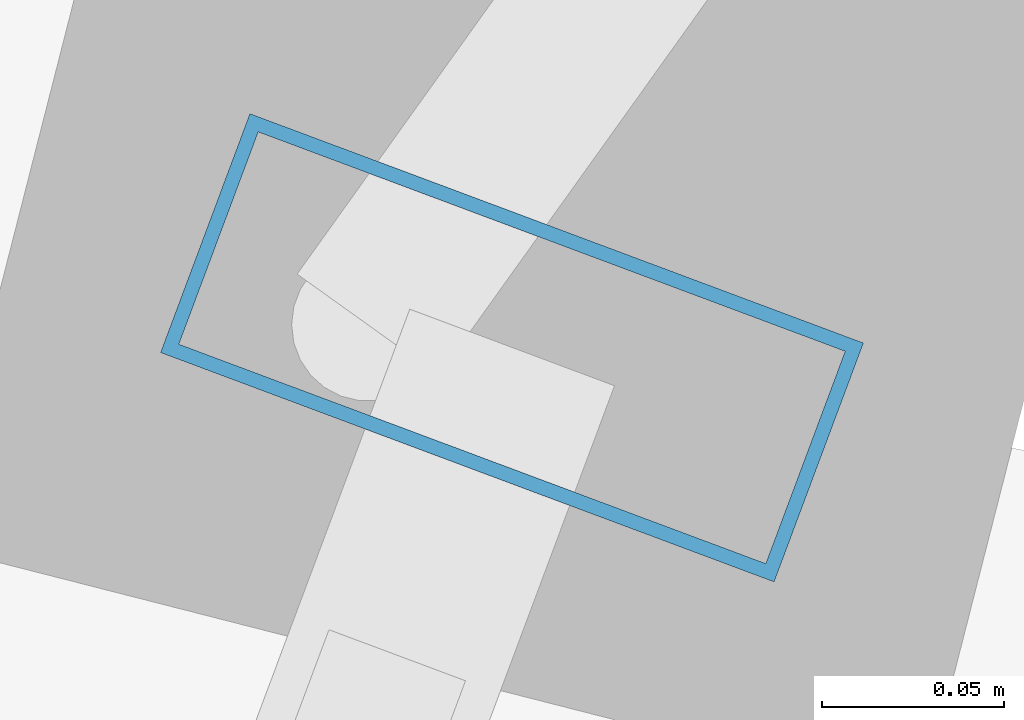
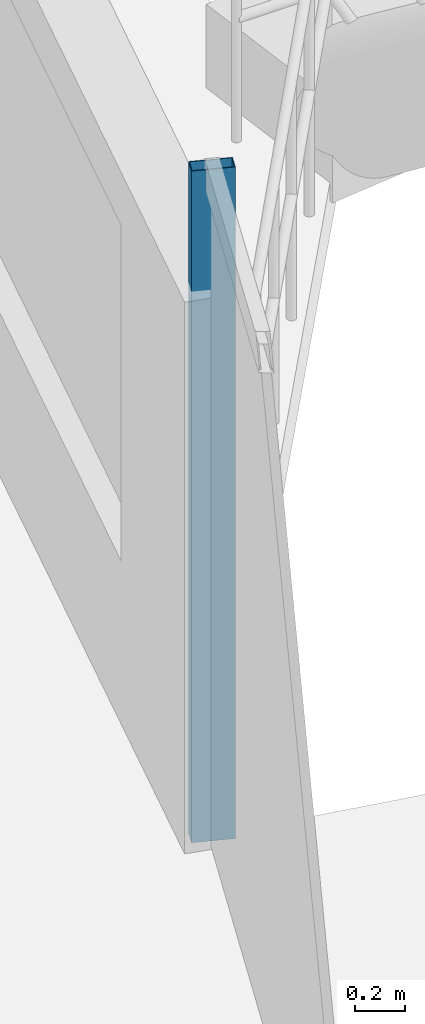
# One storey, part 11 of 21: 1 member, 1 element without a shape of its own.
"""IFC4 building model written with IfcOpenShell, lengths in metres."""

from ifc_helpers import new_model, si_unit, direction, frame, origin, origin_2d, place, context, subcontext, project, spatial, hollow_rectangle, extrude, material, layer, layer_set, material_profile, profile_set, type_object, element, aggregate, save


model = new_model("IFC4")

# Units and contexts
model_context = context("Model", 3, precision=1e-05, world=origin(), true_north=direction((0.0, 1.0)))
body_context = subcontext(model_context, "Body", "Model", "MODEL_VIEW")
ifc_project = project(units=[si_unit("LENGTHUNIT", "METRE"), si_unit("AREAUNIT", "SQUARE_METRE"), si_unit("VOLUMEUNIT", "CUBIC_METRE"), si_unit("PLANEANGLEUNIT", "RADIAN"), si_unit("MASSUNIT", "GRAM", prefix="KILO")], contexts=[model_context])

# Site, building, storey
site_placement = place(None, origin())
site = spatial("IfcSite", under=ifc_project, at=site_placement, CompositionType="ELEMENT")
building_placement = place(site_placement, origin())
building = spatial("IfcBuilding", under=site, at=building_placement, Name="Veldorina Hangang Commons", CompositionType="ELEMENT")
storey_placement = place(building_placement, frame((0.0, 0.0, 91.60009765625)))
storey = spatial("IfcBuildingStorey", under=building, at=storey_placement, Name="L23", CompositionType="ELEMENT", Elevation=91.60009765625)

# Curtain wall, member
ifc_material_1 = material(Name="Glass Low-E Triple IGU", Category="glass")
ifc_layer = layer(ifc_material_1, 0.179931640625)
ifc_layer_set = layer_set([ifc_layer], Name="Glass Low-E Triple IGU")
curtain_wall_type = type_object("IfcCurtainWallType", Name="CW-SYS-Z1", PredefinedType="NOTDEFINED", material=ifc_layer_set)
curtain_wall_placement = place(storey_placement, origin())
curtain_wall = element("IfcCurtainWall", 1, at=curtain_wall_placement, inside=storey, type_object=curtain_wall_type, Name="L23 unitised curtain wall CW-L23-R2", PredefinedType="NOTDEFINED")
ifc_material_2 = material(Name="Aluminium Anodized AA6063-T6", Category="aluminium")
ifc_material_profile = material_profile(ifc_material_2, hollow_rectangle(XDim=0.070068359375, YDim=0.179931640625, WallThickness=0.00390625, at=origin_2d()), Name="ALU-RHS-180x70x4")
ifc_profile_set = profile_set([ifc_material_profile], Name="Aluminium Anodized AA6063-T6")
member_type = type_object("IfcMemberType", Name="CW-MUL-180", PredefinedType="MULLION", material=ifc_profile_set)
member_placement = place(storey_placement, frame((57.894287109375, 19.8203125, 0.0), z_axis=(0.0, 0.0, 1.0), x_axis=(-0.350141988351, -0.936696636053, 0.0)))
member = element("IfcMember", 2, at=member_placement, type_object=member_type, Name="CW-L23-R2 vertical mullion 4", PredefinedType="MULLION", context=body_context, shape_type="SweptSolid", body=[
    extrude(hollow_rectangle(XDim=0.070068359375, YDim=0.179931640625, WallThickness=0.00390625, at=origin_2d()), origin(), (0.0, 0.0, 1.0), 3.2998046875),
])
aggregate(curtain_wall, [member])

save(model, "model.ifc")
